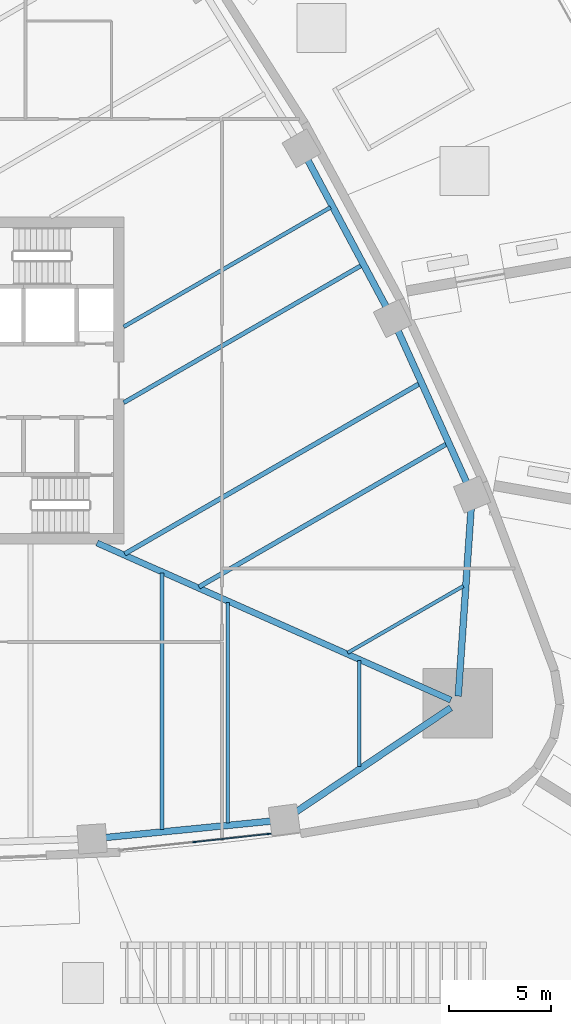
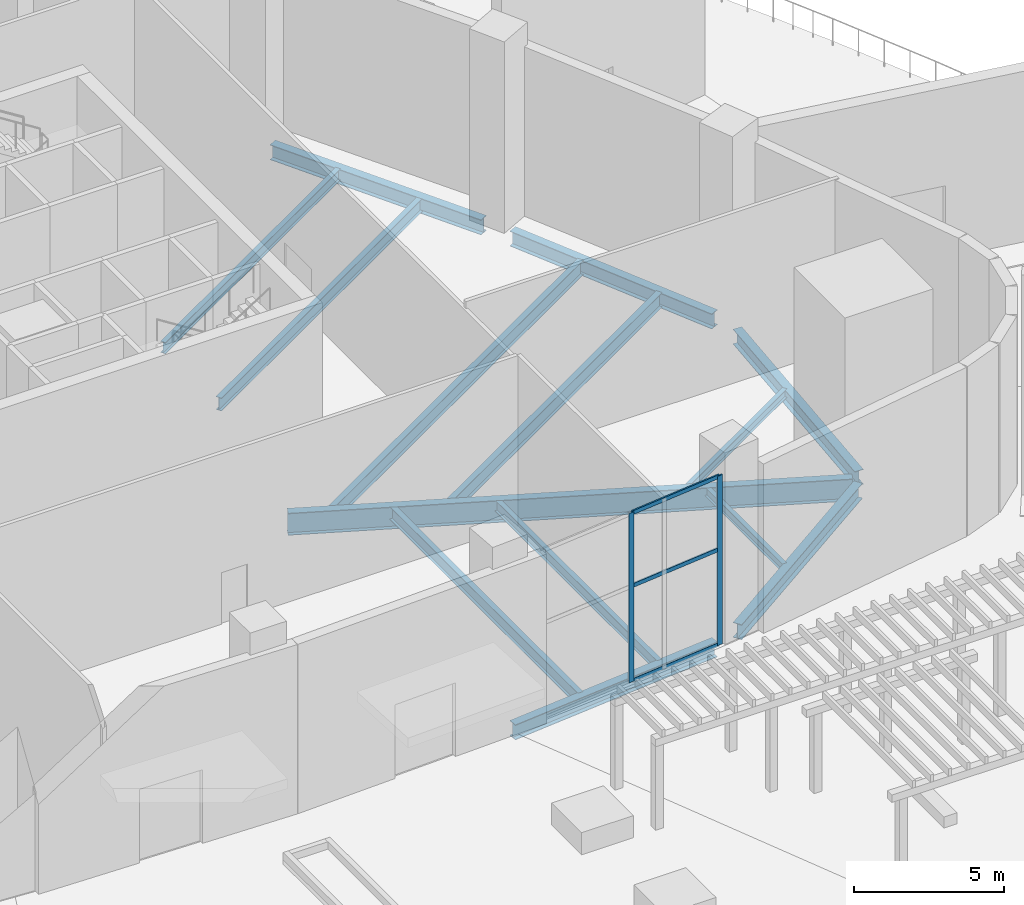
# One storey, part 5 of 20: 14 beams, 5 members, 1 element without a shape of its own.
"""IFC4 building model written with IfcOpenShell, lengths in metres."""

from ifc_helpers import new_model, si_unit, direction, frame, origin, origin_2d, place, context, subcontext, project, spatial, rectangle, i_section, extrude, material, layer, layer_set, material_profile, profile_set, type_object, element, aggregate, save


model = new_model("IFC4")

# Units and contexts
model_context = context("Model", 3, precision=1e-05, world=origin(), true_north=direction((0.0, 1.0)))
body_context = subcontext(model_context, "Body", "Model", "MODEL_VIEW")
ifc_project = project(units=[si_unit("LENGTHUNIT", "METRE"), si_unit("AREAUNIT", "SQUARE_METRE"), si_unit("VOLUMEUNIT", "CUBIC_METRE"), si_unit("PLANEANGLEUNIT", "RADIAN"), si_unit("MASSUNIT", "GRAM", prefix="KILO")], contexts=[model_context])

# Site, building, storey
site_placement = place(None, origin())
site = spatial("IfcSite", under=ifc_project, at=site_placement, CompositionType="ELEMENT")
building_placement = place(site_placement, origin())
building = spatial("IfcBuilding", under=site, at=building_placement, Name="Sierra Prisma Convention Tower", CompositionType="ELEMENT")
storey_placement = place(building_placement, frame((0.0, 0.0, 9.0)))
storey = spatial("IfcBuildingStorey", under=building, at=storey_placement, Name="L01", CompositionType="ELEMENT", Elevation=9.0)

# Curtain wall, members
ifc_material_1 = material(Name="Aluminium, bronze anodised", Category="aluminium")
ifc_layer = layer(ifc_material_1, 0.199951171875)
ifc_layer_set = layer_set([ifc_layer], Name="CW-3 curtain wall")
curtain_wall_type = type_object("IfcCurtainWallType", Name="CW-3 curtain wall", PredefinedType="NOTDEFINED", material=ifc_layer_set)
curtain_wall_placement = place(storey_placement, origin())
curtain_wall = element("IfcCurtainWall", 1, at=curtain_wall_placement, inside=storey, type_object=curtain_wall_type, Name="CW-3 curtain wall", PredefinedType="NOTDEFINED")
ifc_material_2 = material(Name="Aluminium, bronze anodised", Category="aluminium")
ifc_material_profile_1 = material_profile(ifc_material_2, rectangle(XDim=0.06005859375, YDim=0.199951171875, at=origin_2d()), Name="CW-3 mullion 60 x 200")
ifc_profile_set_1 = profile_set([ifc_material_profile_1], Name="Aluminium, bronze anodised")
member_type_1 = type_object("IfcMemberType", Name="CW-3 mullion 60 x 200", PredefinedType="MULLION", material=ifc_profile_set_1)
member_1_placement = place(storey_placement, frame((18.110107421875, -22.197265625, 0.0), z_axis=(0.0, 0.0, 1.0), x_axis=(0.10860666578, -0.994084801286, 0.0)))
member_1 = element("IfcMember", 2, at=member_1_placement, type_object=member_type_1, Name="CW-3 mullion 1", PredefinedType="MULLION", context=body_context, shape_type="SweptSolid", body=[
    extrude(rectangle(XDim=0.06005859375, YDim=0.199951171875, at=origin_2d()), origin(), (0.0, 0.0, 1.0), 6.89990234375),
])
member_2_placement = place(storey_placement, frame((14.469970703125, -22.594970703125, 0.0), z_axis=(0.0, 0.0, 1.0), x_axis=(0.10860666578, -0.994084801286, 0.0)))
member_2 = element("IfcMember", 3, at=member_2_placement, type_object=member_type_1, Name="CW-3 mullion 2", PredefinedType="MULLION", context=body_context, shape_type="SweptSolid", body=[
    extrude(rectangle(XDim=0.06005859375, YDim=0.199951171875, at=origin_2d()), origin(), (0.0, 0.0, 1.0), 6.89990234375),
])
ifc_material_3 = material(Name="Aluminium, bronze anodised", Category="aluminium")
ifc_material_profile_2 = material_profile(ifc_material_3, rectangle(XDim=0.06005859375, YDim=0.159912109375, at=origin_2d()), Name="CW-3 transom 60 x 160")
ifc_profile_set_2 = profile_set([ifc_material_profile_2], Name="Aluminium, bronze anodised")
member_type_2 = type_object("IfcMemberType", Name="CW-3 transom 60 x 160", PredefinedType="USERDEFINED", material=ifc_profile_set_2)
member_3_placement = place(storey_placement, frame((18.080322265625, -22.200439453125, 0.030029296875), z_axis=(-0.994087020649, -0.108586349862, 0.0), x_axis=(0.108586349862, -0.994087020649, 0.0)))
member_3 = element("IfcMember", 4, at=member_3_placement, type_object=member_type_2, Name="CW-3 transom 1.1", ObjectType="TRANSOM", PredefinedType="USERDEFINED", context=body_context, shape_type="SweptSolid", body=[
    extrude(rectangle(XDim=0.06005859375, YDim=0.159912109375, at=origin_2d()), origin(), (0.0, 0.0, 1.0), 3.601806640625),
])
member_4_placement = place(storey_placement, frame((18.080322265625, -22.200439453125, 3.89990234375), z_axis=(-0.994087020649, -0.108586349862, 0.0), x_axis=(0.108586349862, -0.994087020649, 0.0)))
member_4 = element("IfcMember", 5, at=member_4_placement, type_object=member_type_2, Name="CW-3 transom 1.2", ObjectType="TRANSOM", PredefinedType="USERDEFINED", context=body_context, shape_type="SweptSolid", body=[
    extrude(rectangle(XDim=0.06005859375, YDim=0.159912109375, at=origin_2d()), origin(), (0.0, 0.0, 1.0), 3.601806640625),
])
member_5_placement = place(storey_placement, frame((18.080322265625, -22.200439453125, 6.8701171875), z_axis=(-0.994087020649, -0.108586349862, 0.0), x_axis=(0.108586349862, -0.994087020649, 0.0)))
member_5 = element("IfcMember", 6, at=member_5_placement, type_object=member_type_2, Name="CW-3 transom 1.3", ObjectType="TRANSOM", PredefinedType="USERDEFINED", context=body_context, shape_type="SweptSolid", body=[
    extrude(rectangle(XDim=0.06005859375, YDim=0.159912109375, at=origin_2d()), origin(), (0.0, 0.0, 1.0), 3.601806640625),
])
aggregate(curtain_wall, [member_1, member_2, member_3, member_4, member_5])

# Beams
ifc_material_4 = material(Name="Steel ASTM A992 Gr 50", Category="steel")
ifc_material_profile_3 = material_profile(ifc_material_4, i_section(OverallWidth=0.172119140625, OverallDepth=0.35791015625, WebThickness=0.0078125, FlangeThickness=0.01318359375, at=origin_2d()), Name="W360x57")
ifc_profile_set_3 = profile_set([ifc_material_profile_3], Name="Steel ASTM A992 Gr 50")
beam_type_1 = type_object("IfcBeamType", Name="Floor joist W360x57", PredefinedType="JOIST", material=ifc_profile_set_3)
beam_1_placement = place(storey_placement, frame((22.52783203125, -18.89501953125, -0.428955078125), z_axis=(0.0, 1.0, 0.0), x_axis=(-1.0, 0.0, 0.0)))
element("IfcBeam", 7, at=beam_1_placement, inside=storey, type_object=beam_type_1, Name="Floor joist L01 S16", PredefinedType="JOIST", context=body_context, shape_type="SweptSolid", body=[
    extrude(i_section(OverallWidth=0.172119140625, OverallDepth=0.35791015625, WebThickness=0.0078125, FlangeThickness=0.01318359375, at=origin_2d()), origin(), (0.0, 0.0, 1.0), 5.177978515625),
])
beam_2_placement = place(storey_placement, frame((27.62744140625, -10.06201171875, -0.428955078125), z_axis=(-0.866022747659, -0.500004600516, 0.0), x_axis=(0.500004600516, -0.866022747659, 0.0)))
element("IfcBeam", 8, at=beam_2_placement, inside=storey, type_object=beam_type_1, Name="Floor joist L01 NE02", PredefinedType="JOIST", context=body_context, shape_type="SweptSolid", body=[
    extrude(i_section(OverallWidth=0.172119140625, OverallDepth=0.35791015625, WebThickness=0.0078125, FlangeThickness=0.01318359375, at=origin_2d()), origin(), (0.0, 0.0, 1.0), 6.54150390625),
])
ifc_material_5 = material(Name="Steel ASTM A992 Gr 50", Category="steel")
ifc_material_profile_4 = material_profile(ifc_material_5, i_section(OverallWidth=0.18994140625, OverallDepth=0.45703125, WebThickness=0.009033203125, FlangeThickness=0.014404296875, at=origin_2d()), Name="W460x74")
ifc_profile_set_4 = profile_set([ifc_material_profile_4], Name="Steel ASTM A992 Gr 50")
beam_type_2 = type_object("IfcBeamType", Name="Floor joist W460x74", PredefinedType="JOIST", material=ifc_profile_set_4)
beam_3_placement = place(storey_placement, frame((16.09130859375, -21.6689453125, -0.478515625), z_axis=(0.0, 1.0, 0.0), x_axis=(-1.0, 0.0, 0.0)))
element("IfcBeam", 9, at=beam_3_placement, inside=storey, type_object=beam_type_2, Name="Floor joist L01 S14", PredefinedType="JOIST", context=body_context, shape_type="SweptSolid", body=[
    extrude(i_section(OverallWidth=0.18994140625, OverallDepth=0.45703125, WebThickness=0.009033203125, FlangeThickness=0.014404296875, at=origin_2d()), origin(), (0.0, 0.0, 1.0), 10.8095703125),
])
beam_4_placement = place(storey_placement, frame((21.1220703125, 8.478759765625, -0.478515625), z_axis=(-0.866024880635, -0.500000906121, 0.0), x_axis=(0.500000906121, -0.866024880635, 0.0)))
element("IfcBeam", 10, at=beam_4_placement, inside=storey, type_object=beam_type_2, Name="Floor joist L01 NE08", PredefinedType="JOIST", context=body_context, shape_type="SweptSolid", body=[
    extrude(i_section(OverallWidth=0.18994140625, OverallDepth=0.45703125, WebThickness=0.009033203125, FlangeThickness=0.014404296875, at=origin_2d()), origin(), (0.0, 0.0, 1.0), 11.68798828125),
])
ifc_material_6 = material(Name="Steel ASTM A992 Gr 50", Category="steel")
ifc_material_profile_5 = material_profile(ifc_material_6, i_section(OverallWidth=0.208984375, OverallDepth=0.532958984375, WebThickness=0.01025390625, FlangeThickness=0.015625, at=origin_2d()), Name="W530x92")
ifc_profile_set_5 = profile_set([ifc_material_profile_5], Name="Steel ASTM A992 Gr 50")
beam_type_3 = type_object("IfcBeamType", Name="Floor joist W530x92", PredefinedType="JOIST", material=ifc_profile_set_5)
beam_5_placement = place(storey_placement, frame((12.873046875, -21.9873046875, -0.5166015625), z_axis=(0.0, 1.0, 0.0), x_axis=(-1.0, 0.0, 0.0)))
element("IfcBeam", 11, at=beam_5_placement, inside=storey, type_object=beam_type_3, Name="Floor joist L01 S13", PredefinedType="JOIST", context=body_context, shape_type="SweptSolid", body=[
    extrude(i_section(OverallWidth=0.208984375, OverallDepth=0.532958984375, WebThickness=0.01025390625, FlangeThickness=0.015625, at=origin_2d()), origin(), (0.0, 0.0, 1.0), 12.556640625),
])
beam_6_placement = place(storey_placement, frame((22.639404296875, 5.638671875, -0.5166015625), z_axis=(-0.866026773083, -0.499997628298, 0.0), x_axis=(0.499997628298, -0.866026773083, 0.0)))
element("IfcBeam", 12, at=beam_6_placement, inside=storey, type_object=beam_type_3, Name="Floor joist L01 NE07", PredefinedType="JOIST", context=body_context, shape_type="SweptSolid", body=[
    extrude(i_section(OverallWidth=0.208984375, OverallDepth=0.532958984375, WebThickness=0.01025390625, FlangeThickness=0.015625, at=origin_2d()), origin(), (0.0, 0.0, 1.0), 13.43994140625),
])
ifc_material_7 = material(Name="Steel ASTM A992 Gr 50", Category="steel")
ifc_material_profile_6 = material_profile(ifc_material_7, i_section(OverallWidth=0.22802734375, OverallDepth=0.60302734375, WebThickness=0.010498046875, FlangeThickness=0.014892578125, at=origin_2d()), Name="W610x101")
ifc_profile_set_6 = profile_set([ifc_material_profile_6], Name="Steel ASTM A992 Gr 50")
beam_type_4 = type_object("IfcBeamType", Name="Floor joist W610x101", PredefinedType="JOIST", material=ifc_profile_set_6)
beam_7_placement = place(storey_placement, frame((26.8115234375, -3.10107421875, -0.551513671875), z_axis=(-0.866032862007, -0.499987081758, 0.0), x_axis=(0.499987081758, -0.866032862007, 0.0)))
element("IfcBeam", 13, at=beam_7_placement, inside=storey, type_object=beam_type_4, Name="Floor joist L01 NE04", PredefinedType="JOIST", context=body_context, shape_type="SweptSolid", body=[
    extrude(i_section(OverallWidth=0.22802734375, OverallDepth=0.60302734375, WebThickness=0.010498046875, FlangeThickness=0.014892578125, at=origin_2d()), origin(), (0.0, 0.0, 1.0), 14.002197265625),
])
beam_8_placement = place(storey_placement, frame((25.47802734375, -0.15478515625, -0.551513671875), z_axis=(-0.866027491634, -0.499996383721, 0.0), x_axis=(0.499996383721, -0.866027491634, 0.0)))
element("IfcBeam", 14, at=beam_8_placement, inside=storey, type_object=beam_type_4, Name="Floor joist L01 NE05", PredefinedType="JOIST", context=body_context, shape_type="SweptSolid", body=[
    extrude(i_section(OverallWidth=0.22802734375, OverallDepth=0.60302734375, WebThickness=0.010498046875, FlangeThickness=0.014892578125, at=origin_2d()), origin(), (0.0, 0.0, 1.0), 16.6640625),
])
ifc_material_8 = material(Name="Steel ASTM A992 Gr 50", Category="steel")
ifc_material_profile_7 = material_profile(ifc_material_8, i_section(OverallWidth=0.303955078125, OverallDepth=0.903076171875, WebThickness=0.01513671875, FlangeThickness=0.02001953125, at=origin_2d()), Name="W920x201")
ifc_profile_set_7 = profile_set([ifc_material_profile_7], Name="Steel ASTM A992 Gr 50")
beam_type_5 = type_object("IfcBeamType", Name="Radial girder W920x201", PredefinedType="BEAM", material=ifc_profile_set_7)
beam_9_placement = place(storey_placement, frame((27.01513671875, -15.642578125, -0.701416015625), z_axis=(-0.91398196052, 0.405754822331, 0.0), x_axis=(-0.405754822331, -0.91398196052, 0.0)))
element("IfcBeam", 15, at=beam_9_placement, inside=storey, type_object=beam_type_5, Name="Radial girder L01 SE", PredefinedType="BEAM", context=body_context, shape_type="SweptSolid", body=[
    extrude(i_section(OverallWidth=0.303955078125, OverallDepth=0.903076171875, WebThickness=0.01513671875, FlangeThickness=0.02001953125, at=origin_2d()), origin(), (0.0, 0.0, 1.0), 18.955078125),
])
ifc_material_9 = material(Name="Steel ASTM A992 Gr 50", Category="steel")
ifc_material_profile_8 = material_profile(ifc_material_9, i_section(OverallWidth=0.324951171875, OverallDepth=0.615966796875, WebThickness=0.013916015625, FlangeThickness=0.021484375, at=origin_2d()), Name="W610x174")
ifc_profile_set_8 = profile_set([ifc_material_profile_8], Name="Steel ASTM A992 Gr 50")
beam_type_6 = type_object("IfcBeamType", Name="Spandrel beam W610x174", PredefinedType="BEAM", material=ifc_profile_set_8)
beam_10_placement = place(storey_placement, frame((10.028076171875, -22.382080078125, -0.55810546875), z_axis=(0.99514126278, 0.098457438079, 0.0), x_axis=(-0.098457438079, 0.99514126278, 0.0)))
element("IfcBeam", 16, at=beam_10_placement, inside=storey, type_object=beam_type_6, Name="Spandrel L01-05", PredefinedType="BEAM", context=body_context, shape_type="SweptSolid", body=[
    extrude(i_section(OverallWidth=0.324951171875, OverallDepth=0.615966796875, WebThickness=0.013916015625, FlangeThickness=0.021484375, at=origin_2d()), origin(), (0.0, 0.0, 1.0), 8.29443359375),
])
beam_11_placement = place(storey_placement, frame((19.40869140625, -21.138916015625, -0.55810546875), z_axis=(0.829740498665, 0.558149357139, 0.0), x_axis=(-0.558149357139, 0.829740498665, 0.0)))
element("IfcBeam", 17, at=beam_11_placement, inside=storey, type_object=beam_type_6, Name="Spandrel L01-06", PredefinedType="BEAM", context=body_context, shape_type="SweptSolid", body=[
    extrude(i_section(OverallWidth=0.324951171875, OverallDepth=0.615966796875, WebThickness=0.013916015625, FlangeThickness=0.021484375, at=origin_2d()), origin(), (0.0, 0.0, 1.0), 9.167236328125),
])
beam_12_placement = place(storey_placement, frame((27.37841796875, -15.453369140625, -0.55810546875), z_axis=(0.06851541914, 0.997650057555, 0.0), x_axis=(-0.997650057555, 0.06851541914, 0.0)))
element("IfcBeam", 18, at=beam_12_placement, inside=storey, type_object=beam_type_6, Name="Spandrel L01-07", PredefinedType="BEAM", context=body_context, shape_type="SweptSolid", body=[
    extrude(i_section(OverallWidth=0.324951171875, OverallDepth=0.615966796875, WebThickness=0.013916015625, FlangeThickness=0.021484375, at=origin_2d()), origin(), (0.0, 0.0, 1.0), 9.236083984375),
])
beam_13_placement = place(storey_placement, frame((27.8173828125, -5.05029296875, -0.55810546875), z_axis=(-0.41230108384, 0.911047647637, 0.0), x_axis=(-0.911047647637, -0.41230108384, 0.0)))
element("IfcBeam", 19, at=beam_13_placement, inside=storey, type_object=beam_type_6, Name="Spandrel L01-08", PredefinedType="BEAM", context=body_context, shape_type="SweptSolid", body=[
    extrude(i_section(OverallWidth=0.324951171875, OverallDepth=0.615966796875, WebThickness=0.013916015625, FlangeThickness=0.021484375, at=origin_2d()), origin(), (0.0, 0.0, 1.0), 8.294677734375),
])
beam_14_placement = place(storey_placement, frame((23.884521484375, 3.54736328125, -0.55810546875), z_axis=(-0.471267929576, 0.881990101165, 0.0), x_axis=(-0.881990101165, -0.471267929576, 0.0)))
element("IfcBeam", 20, at=beam_14_placement, inside=storey, type_object=beam_type_6, Name="Spandrel L01-09", PredefinedType="BEAM", context=body_context, shape_type="SweptSolid", body=[
    extrude(i_section(OverallWidth=0.324951171875, OverallDepth=0.615966796875, WebThickness=0.013916015625, FlangeThickness=0.021484375, at=origin_2d()), origin(), (0.0, 0.0, 1.0), 8.29443359375),
])

save(model, "model.ifc")
